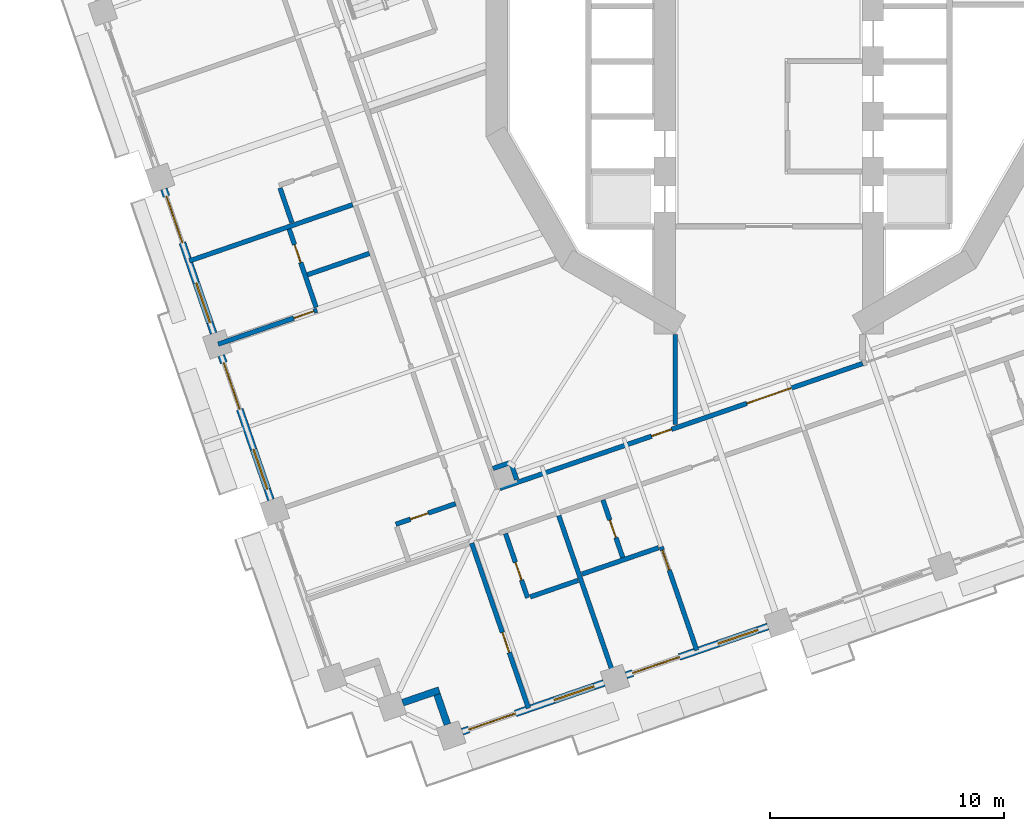
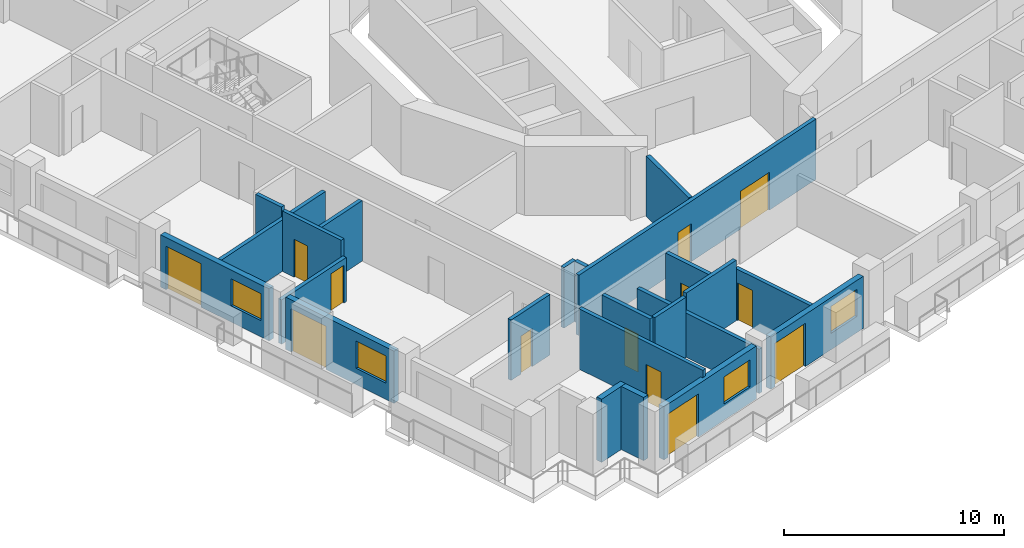
# One storey, part 7 of 22: 23 walls, 13 doors, 4 windows, 17 openings.
"""IFC4 building model written with IfcOpenShell, lengths in metres."""

from ifc_helpers import new_model, si_unit, direction, frame, frame_2d, origin, place, context, subcontext, project, spatial, rectangle, extrude, material, layer, layer_set, type_object, element, fill, save


model = new_model("IFC4")

# Units and contexts
model_context = context("Model", 3, precision=1e-05, world=origin(), true_north=direction((0.0, 1.0)))
body_context = subcontext(model_context, "Body", "Model", "MODEL_VIEW")
ifc_project = project(units=[si_unit("LENGTHUNIT", "METRE"), si_unit("AREAUNIT", "SQUARE_METRE"), si_unit("VOLUMEUNIT", "CUBIC_METRE"), si_unit("PLANEANGLEUNIT", "RADIAN"), si_unit("MASSUNIT", "GRAM", prefix="KILO")], contexts=[model_context])

# Site, building, storey
site_placement = place(None, origin())
site = spatial("IfcSite", under=ifc_project, at=site_placement, CompositionType="ELEMENT")
building_placement = place(site_placement, origin())
building = spatial("IfcBuilding", under=site, at=building_placement, Name="Cantera Rosa Tower", CompositionType="ELEMENT")
storey_placement = place(building_placement, frame((0.0, 0.0, 138.300048828125)))
storey = spatial("IfcBuildingStorey", under=building, at=storey_placement, Name="L29", CompositionType="ELEMENT", Elevation=138.300048828125)

# Wall, openings, doors
ifc_material_1 = material(Name="Gypsum board partition")
ifc_layer_1 = layer(ifc_material_1, 0.199951171875)
ifc_layer_set_1 = layer_set([ifc_layer_1], Name="CORRIDOR WALL 200 H3350")
wall_type_1 = type_object("IfcWallType", Name="CORRIDOR WALL 200 H3350", PredefinedType="PARTITIONING", material=ifc_layer_set_1)
wall_1_placement = place(storey_placement, frame((-11.489501953125, -18.23388671875, 0.0), z_axis=(0.0, 0.0, 1.0), x_axis=(0.945522545762, 0.325556624039, 0.0)))
wall_1 = element("IfcWall", 1, at=wall_1_placement, inside=storey, type_object=wall_type_1, Name="CORRIDOR WALL L29-031", PredefinedType="PARTITIONING", context=body_context, shape_type="SweptSolid", body=[
    extrude(rectangle(XDim=16.3818359375, YDim=0.199951171875, at=frame_2d((8.19091796875, 0.0))), origin(), (0.0, 0.0, 1.0), 3.349853515625),
])
opening_1_placement = place(wall_1_placement, frame((6.850830078125, 0.0, 0.0)))
opening_1 = element("IfcOpeningElement", 2, at=opening_1_placement, cuts=wall_1, Name="Opening L29-007", PredefinedType="OPENING", context=body_context, shape_type="SweptSolid", body=[
    extrude(rectangle(XDim=0.89990234375, YDim=2.10009765625, at=frame_2d((0.449951171875, 1.050048828125))), frame((0.0, 0.10986328125, 0.0), z_axis=(0.0, -1.0, 0.0), x_axis=(1.0, 0.0, 0.0)), (0.0, 0.0, 1.0), 0.219970703125),
])
opening_2_placement = place(wall_1_placement, frame((11.151611328125, 0.0, 0.0)))
opening_2 = element("IfcOpeningElement", 3, at=opening_2_placement, cuts=wall_1, Name="Opening L29-012", PredefinedType="OPENING", context=body_context, shape_type="SweptSolid", body=[
    extrude(rectangle(XDim=2.0, YDim=2.10009765625, at=frame_2d((1.0, 1.050048828125))), frame((0.0, 0.10986328125, 0.0), z_axis=(0.0, -1.0, 0.0), x_axis=(1.0, 0.0, 0.0)), (0.0, 0.0, 1.0), 0.219970703125),
])
ifc_material_2 = material(Name="Steel S355J2 (EN 10025-2)", Category="steel")
door_type_1 = type_object("IfcDoorType", Name="LOBBY SCREEN DOOR 2000x2100", OperationType="NOTDEFINED", PredefinedType="DOOR", material=ifc_material_2)
door_1_placement = place(opening_2_placement, origin())
door_1 = element("IfcDoor", 4, at=door_1_placement, inside=storey, type_object=door_type_1, Name="DOOR L29-012", OperationType="NOTDEFINED", OverallHeight=2.10009765625, OverallWidth=2.0, PredefinedType="DOOR", context=body_context, shape_type="SweptSolid", body=[
    extrude(rectangle(XDim=2.0, YDim=2.10009765625, at=frame_2d((1.0, 1.050048828125))), frame((0.0, 0.02490234375, 0.0), z_axis=(0.0, -1.0, 0.0), x_axis=(1.0, 0.0, 0.0)), (0.0, 0.0, 1.0), 0.050048828125),
])
fill(opening_2, door_1)
ifc_material_3 = material(Name="Timber door leaf", Category="wood")
door_type_2 = type_object("IfcDoorType", Name="SERVICE DOOR 900x2100", OperationType="NOTDEFINED", PredefinedType="DOOR", material=ifc_material_3)
door_2_placement = place(opening_1_placement, origin())
door_2 = element("IfcDoor", 5, at=door_2_placement, inside=storey, type_object=door_type_2, Name="DOOR L29-007", OperationType="NOTDEFINED", OverallHeight=2.10009765625, OverallWidth=0.89990234375, PredefinedType="DOOR", context=body_context, shape_type="SweptSolid", body=[
    extrude(rectangle(XDim=0.89990234375, YDim=2.10009765625, at=frame_2d((0.449951171875, 1.050048828125))), frame((0.0, 0.02490234375, 0.0), z_axis=(0.0, -1.0, 0.0), x_axis=(1.0, 0.0, 0.0)), (0.0, 0.0, 1.0), 0.050048828125),
])
fill(opening_1, door_2)

# Walls
wall_2_placement = place(storey_placement, frame((-4.0, -11.667236328125, 0.0), z_axis=(0.0, 0.0, 1.0), x_axis=(0.0, -1.0, 0.0)))
element("IfcWall", 6, at=wall_2_placement, inside=storey, type_object=wall_type_1, Name="CORRIDOR WALL L29-049", PredefinedType="PARTITIONING", context=body_context, shape_type="SweptSolid", body=[
    extrude(rectangle(XDim=3.847900390625, YDim=0.199951171875, at=frame_2d((1.923828125, 0.0))), origin(), (0.0, 0.0, 1.0), 3.349853515625),
])
ifc_material_4 = material(Name="Hollow clay masonry with cantera stone cladding", Category="masonry")
ifc_layer_2 = layer(ifc_material_4, 0.300048828125)
ifc_layer_set_2 = layer_set([ifc_layer_2], Name="EW-LOGGIA 300")
wall_type_2 = type_object("IfcWallType", Name="EW-LOGGIA 300", PredefinedType="SOLIDWALL", material=ifc_layer_set_2)
wall_3_placement = place(storey_placement, frame((-15.636962890625, -27.3828125, 0.0), z_axis=(0.0, 0.0, 1.0), x_axis=(0.945484566827, 0.325666906351, 0.0)))
element("IfcWall", 7, at=wall_3_placement, inside=storey, type_object=wall_type_2, Name="EN-L29-W22a", PredefinedType="SOLIDWALL", context=body_context, shape_type="SweptSolid", body=[
    extrude(rectangle(XDim=1.64990234375, YDim=0.300048828125, at=frame_2d((0.824951171875, 0.0))), origin(), (0.0, 0.0, 1.0), 3.5),
])
wall_4_placement = place(storey_placement, frame((-14.169921875, -27.0361328125, 0.0), z_axis=(0.0, 0.0, 1.0), x_axis=(0.325650742363, -0.945490134268, 0.0)))
element("IfcWall", 8, at=wall_4_placement, inside=storey, type_object=wall_type_2, Name="EN-L29-W22b", PredefinedType="SOLIDWALL", context=body_context, shape_type="SweptSolid", body=[
    extrude(rectangle(XDim=1.35009765625, YDim=0.300048828125, at=frame_2d((0.675048828125, 0.0))), origin(), (0.0, 0.0, 1.0), 3.5),
])

# Wall, openings, window, door
ifc_material_5 = material(Name="Hollow clay masonry with cantera stone cladding", Category="masonry")
ifc_layer_3 = layer(ifc_material_5, 0.300048828125)
ifc_layer_set_3 = layer_set([ifc_layer_3], Name="EW-LOGGIA 300 H2890")
wall_type_3 = type_object("IfcWallType", Name="EW-LOGGIA 300 H2890", PredefinedType="SOLIDWALL", material=ifc_layer_set_3)
wall_5_placement = place(storey_placement, frame((-25.833984375, -5.447509765625, 0.0), z_axis=(0.0, 0.0, 1.0), x_axis=(0.325580990241, -0.945514155787, 0.0)))
wall_5 = element("IfcWall", 9, at=wall_5_placement, inside=storey, type_object=wall_type_3, Name="EN-L29-W18", PredefinedType="SOLIDWALL", context=body_context, shape_type="SweptSolid", body=[
    extrude(rectangle(XDim=6.52001953125, YDim=0.300048828125, at=frame_2d((3.260009765625, 0.0))), origin(), (0.0, 0.0, 1.0), 2.889892578125),
])
opening_3_placement = place(wall_5_placement, frame((0.330078125, 0.0, 0.0)))
opening_3 = element("IfcOpeningElement", 10, at=opening_3_placement, cuts=wall_5, Name="Opening L29-TD23", PredefinedType="OPENING", context=body_context, shape_type="SweptSolid", body=[
    extrude(rectangle(XDim=2.10009765625, YDim=2.39990234375, at=frame_2d((1.050048828125, 1.199951171875))), frame((0.0, 0.159912109375, 0.0), z_axis=(0.0, -1.0, 0.0), x_axis=(1.0, 0.0, 0.0)), (0.0, 0.0, 1.0), 0.320068359375),
])
opening_4_placement = place(wall_5_placement, frame((4.239990234375, 0.0, 0.89990234375)))
opening_4 = element("IfcOpeningElement", 11, at=opening_4_placement, cuts=wall_5, Name="Opening L29-W24", PredefinedType="OPENING", context=body_context, shape_type="SweptSolid", body=[
    extrude(rectangle(XDim=1.800048828125, YDim=1.5, at=frame_2d((0.89990234375, 0.75))), frame((0.0, 0.159912109375, 0.0), z_axis=(0.0, -1.0, 0.0), x_axis=(1.0, 0.0, 0.0)), (0.0, 0.0, 1.0), 0.320068359375),
])
ifc_material_6 = material(Name="Aluminium frame with clear glass", Category="aluminium")
window_type = type_object("IfcWindowType", Name="Hotel room window 1800x1500", PartitioningType="DOUBLE_PANEL_VERTICAL", PredefinedType="WINDOW", material=ifc_material_6)
window_1_placement = place(opening_4_placement, origin())
window_1 = element("IfcWindow", 12, at=window_1_placement, inside=storey, type_object=window_type, Name="WINDOW L29-W24", OverallHeight=1.5, OverallWidth=1.800048828125, PartitioningType="SINGLE_PANEL", PredefinedType="WINDOW", context=body_context, shape_type="SweptSolid", body=[
    extrude(rectangle(XDim=1.800048828125, YDim=1.5, at=frame_2d((0.89990234375, 0.75))), frame((0.0, 0.030029296875, 0.0), z_axis=(0.0, -1.0, 0.0), x_axis=(1.0, 0.0, 0.0)), (0.0, 0.0, 1.0), 0.06005859375),
])
fill(opening_4, window_1)
ifc_material_7 = material(Name="Aluminium frame with clear glass", Category="aluminium")
door_type_3 = type_object("IfcDoorType", Name="TD-H 2100x2400", OperationType="NOTDEFINED", PredefinedType="DOOR", material=ifc_material_7)
door_3_placement = place(opening_3_placement, origin())
door_3 = element("IfcDoor", 13, at=door_3_placement, inside=storey, type_object=door_type_3, Name="LOGGIA DOOR L29-TD23", OperationType="SLIDING_TO_LEFT", OverallHeight=2.39990234375, OverallWidth=2.10009765625, PredefinedType="DOOR", context=body_context, shape_type="SweptSolid", body=[
    extrude(rectangle(XDim=2.10009765625, YDim=2.39990234375, at=frame_2d((1.050048828125, 1.199951171875))), frame((0.0, 0.02490234375, 0.0), z_axis=(0.0, -1.0, 0.0), x_axis=(1.0, 0.0, 0.0)), (0.0, 0.0, 1.0), 0.050048828125),
])
fill(opening_3, door_3)

wall_6_placement = place(storey_placement, frame((-23.3857421875, -12.557861328125, 0.0), z_axis=(0.0, 0.0, 1.0), x_axis=(0.325580990241, -0.945514155787, 0.0)))
wall_6 = element("IfcWall", 14, at=wall_6_placement, inside=storey, type_object=wall_type_3, Name="EN-L29-W19", PredefinedType="SOLIDWALL", context=body_context, shape_type="SweptSolid", body=[
    extrude(rectangle(XDim=6.52001953125, YDim=0.300048828125, at=frame_2d((3.260009765625, 0.0))), origin(), (0.0, 0.0, 1.0), 2.889892578125),
])
opening_5_placement = place(wall_6_placement, frame((0.330078125, 0.0, 0.0)))
opening_5 = element("IfcOpeningElement", 15, at=opening_5_placement, cuts=wall_6, Name="Opening L29-TD25", PredefinedType="OPENING", context=body_context, shape_type="SweptSolid", body=[
    extrude(rectangle(XDim=2.10009765625, YDim=2.39990234375, at=frame_2d((1.050048828125, 1.199951171875))), frame((0.0, 0.159912109375, 0.0), z_axis=(0.0, -1.0, 0.0), x_axis=(1.0, 0.0, 0.0)), (0.0, 0.0, 1.0), 0.320068359375),
])
opening_6_placement = place(wall_6_placement, frame((4.239990234375, 0.0, 0.89990234375)))
opening_6 = element("IfcOpeningElement", 16, at=opening_6_placement, cuts=wall_6, Name="Opening L29-W26", PredefinedType="OPENING", context=body_context, shape_type="SweptSolid", body=[
    extrude(rectangle(XDim=1.800048828125, YDim=1.5, at=frame_2d((0.89990234375, 0.75))), frame((0.0, 0.159912109375, 0.0), z_axis=(0.0, -1.0, 0.0), x_axis=(1.0, 0.0, 0.0)), (0.0, 0.0, 1.0), 0.320068359375),
])
window_2_placement = place(opening_6_placement, origin())
window_2 = element("IfcWindow", 17, at=window_2_placement, inside=storey, type_object=window_type, Name="WINDOW L29-W26", OverallHeight=1.5, OverallWidth=1.800048828125, PartitioningType="SINGLE_PANEL", PredefinedType="WINDOW", context=body_context, shape_type="SweptSolid", body=[
    extrude(rectangle(XDim=1.800048828125, YDim=1.5, at=frame_2d((0.89990234375, 0.75))), frame((0.0, 0.030029296875, 0.0), z_axis=(0.0, -1.0, 0.0), x_axis=(1.0, 0.0, 0.0)), (0.0, 0.0, 1.0), 0.06005859375),
])
fill(opening_6, window_2)
door_4_placement = place(opening_5_placement, origin())
door_4 = element("IfcDoor", 18, at=door_4_placement, inside=storey, type_object=door_type_3, Name="LOGGIA DOOR L29-TD25", OperationType="SLIDING_TO_LEFT", OverallHeight=2.39990234375, OverallWidth=2.10009765625, PredefinedType="DOOR", context=body_context, shape_type="SweptSolid", body=[
    extrude(rectangle(XDim=2.10009765625, YDim=2.39990234375, at=frame_2d((1.050048828125, 1.199951171875))), frame((0.0, 0.02490234375, 0.0), z_axis=(0.0, -1.0, 0.0), x_axis=(1.0, 0.0, 0.0)), (0.0, 0.0, 1.0), 0.050048828125),
])
fill(opening_5, door_4)

wall_7_placement = place(storey_placement, frame((-6.097900390625, -26.21337890625, 0.0), z_axis=(0.0, 0.0, 1.0), x_axis=(0.945524496524, 0.325550958337, 0.0)))
wall_7 = element("IfcWall", 19, at=wall_7_placement, inside=storey, type_object=wall_type_3, Name="EN-L29-W24", PredefinedType="SOLIDWALL", context=body_context, shape_type="SweptSolid", body=[
    extrude(rectangle(XDim=6.39990234375, YDim=0.300048828125, at=frame_2d((3.199951171875, 0.0))), origin(), (0.0, 0.0, 1.0), 2.889892578125),
])
opening_7_placement = place(wall_7_placement, frame((0.300048828125, 0.0, 0.0)))
opening_7 = element("IfcOpeningElement", 20, at=opening_7_placement, cuts=wall_7, Name="Opening L29-TD31", PredefinedType="OPENING", context=body_context, shape_type="SweptSolid", body=[
    extrude(rectangle(XDim=2.10009765625, YDim=2.39990234375, at=frame_2d((1.050048828125, 1.199951171875))), frame((0.0, 0.159912109375, 0.0), z_axis=(0.0, -1.0, 0.0), x_axis=(1.0, 0.0, 0.0)), (0.0, 0.0, 1.0), 0.320068359375),
])
opening_8_placement = place(wall_7_placement, frame((4.14990234375, 0.0, 0.89990234375)))
opening_8 = element("IfcOpeningElement", 21, at=opening_8_placement, cuts=wall_7, Name="Opening L29-W32", PredefinedType="OPENING", context=body_context, shape_type="SweptSolid", body=[
    extrude(rectangle(XDim=1.800048828125, YDim=1.5, at=frame_2d((0.89990234375, 0.75))), frame((0.0, 0.159912109375, 0.0), z_axis=(0.0, -1.0, 0.0), x_axis=(1.0, 0.0, 0.0)), (0.0, 0.0, 1.0), 0.320068359375),
])
window_3_placement = place(opening_8_placement, origin())
window_3 = element("IfcWindow", 22, at=window_3_placement, inside=storey, type_object=window_type, Name="WINDOW L29-W32", OverallHeight=1.5, OverallWidth=1.800048828125, PartitioningType="SINGLE_PANEL", PredefinedType="WINDOW", context=body_context, shape_type="SweptSolid", body=[
    extrude(rectangle(XDim=1.800048828125, YDim=1.5, at=frame_2d((0.89990234375, 0.75))), frame((0.0, 0.030029296875, 0.0), z_axis=(0.0, -1.0, 0.0), x_axis=(1.0, 0.0, 0.0)), (0.0, 0.0, 1.0), 0.06005859375),
])
fill(opening_8, window_3)
door_5_placement = place(opening_7_placement, origin())
door_5 = element("IfcDoor", 23, at=door_5_placement, inside=storey, type_object=door_type_3, Name="LOGGIA DOOR L29-TD31", OperationType="SLIDING_TO_LEFT", OverallHeight=2.39990234375, OverallWidth=2.10009765625, PredefinedType="DOOR", context=body_context, shape_type="SweptSolid", body=[
    extrude(rectangle(XDim=2.10009765625, YDim=2.39990234375, at=frame_2d((1.050048828125, 1.199951171875))), frame((0.0, 0.02490234375, 0.0), z_axis=(0.0, -1.0, 0.0), x_axis=(1.0, 0.0, 0.0)), (0.0, 0.0, 1.0), 0.050048828125),
])
fill(opening_7, door_5)

ifc_material_8 = material(Name="Hollow clay masonry with cantera stone cladding", Category="masonry")
ifc_layer_4 = layer(ifc_material_8, 0.300048828125)
ifc_layer_set_4 = layer_set([ifc_layer_4], Name="EW-LOGGIA 300 H2940")
wall_type_4 = type_object("IfcWallType", Name="EW-LOGGIA 300 H2940", PredefinedType="SOLIDWALL", material=ifc_layer_set_4)
wall_8_placement = place(storey_placement, frame((-13.0947265625, -28.62255859375, 0.0), z_axis=(0.0, 0.0, 1.0), x_axis=(0.945524496524, 0.325550958337, 0.0)))
wall_8 = element("IfcWall", 24, at=wall_8_placement, inside=storey, type_object=wall_type_4, Name="EN-L29-W23", PredefinedType="SOLIDWALL", context=body_context, shape_type="SweptSolid", body=[
    extrude(rectangle(XDim=6.39990234375, YDim=0.300048828125, at=frame_2d((3.199951171875, 0.0))), origin(), (0.0, 0.0, 1.0), 2.93994140625),
])
opening_9_placement = place(wall_8_placement, frame((0.300048828125, 0.0, 0.0)))
opening_9 = element("IfcOpeningElement", 25, at=opening_9_placement, cuts=wall_8, Name="Opening L29-TD29", PredefinedType="OPENING", context=body_context, shape_type="SweptSolid", body=[
    extrude(rectangle(XDim=2.10009765625, YDim=2.39990234375, at=frame_2d((1.050048828125, 1.199951171875))), frame((0.0, 0.159912109375, 0.0), z_axis=(0.0, -1.0, 0.0), x_axis=(1.0, 0.0, 0.0)), (0.0, 0.0, 1.0), 0.320068359375),
])
opening_10_placement = place(wall_8_placement, frame((4.14990234375, 0.0, 0.89990234375)))
opening_10 = element("IfcOpeningElement", 26, at=opening_10_placement, cuts=wall_8, Name="Opening L29-W30", PredefinedType="OPENING", context=body_context, shape_type="SweptSolid", body=[
    extrude(rectangle(XDim=1.800048828125, YDim=1.5, at=frame_2d((0.89990234375, 0.75))), frame((0.0, 0.159912109375, 0.0), z_axis=(0.0, -1.0, 0.0), x_axis=(1.0, 0.0, 0.0)), (0.0, 0.0, 1.0), 0.320068359375),
])
window_4_placement = place(opening_10_placement, origin())
window_4 = element("IfcWindow", 27, at=window_4_placement, inside=storey, type_object=window_type, Name="WINDOW L29-W30", OverallHeight=1.5, OverallWidth=1.800048828125, PartitioningType="SINGLE_PANEL", PredefinedType="WINDOW", context=body_context, shape_type="SweptSolid", body=[
    extrude(rectangle(XDim=1.800048828125, YDim=1.5, at=frame_2d((0.89990234375, 0.75))), frame((0.0, 0.030029296875, 0.0), z_axis=(0.0, -1.0, 0.0), x_axis=(1.0, 0.0, 0.0)), (0.0, 0.0, 1.0), 0.06005859375),
])
fill(opening_10, window_4)
door_6_placement = place(opening_9_placement, origin())
door_6 = element("IfcDoor", 28, at=door_6_placement, inside=storey, type_object=door_type_3, Name="LOGGIA DOOR L29-TD29", OperationType="SLIDING_TO_LEFT", OverallHeight=2.39990234375, OverallWidth=2.10009765625, PredefinedType="DOOR", context=body_context, shape_type="SweptSolid", body=[
    extrude(rectangle(XDim=2.10009765625, YDim=2.39990234375, at=frame_2d((1.050048828125, 1.199951171875))), frame((0.0, 0.02490234375, 0.0), z_axis=(0.0, -1.0, 0.0), x_axis=(1.0, 0.0, 0.0)), (0.0, 0.0, 1.0), 0.050048828125),
])
fill(opening_9, door_6)

# Wall, opening, door
ifc_material_9 = material(Name="Gypsum board partition")
ifc_layer_5 = layer(ifc_material_9, 0.199951171875)
ifc_layer_set_5 = layer_set([ifc_layer_5], Name="PARTITION 200 H2450")
wall_type_5 = type_object("IfcWallType", Name="PARTITION 200 H2450", PredefinedType="PARTITIONING", material=ifc_layer_set_5)
wall_9_placement = place(storey_placement, frame((-19.293701171875, -10.6201171875, 0.0), z_axis=(0.0, 0.0, 1.0), x_axis=(-0.945529593347, -0.325536154835, 0.0)))
wall_9 = element("IfcWall", 29, at=wall_9_placement, inside=storey, type_object=wall_type_5, Name="PARTITION L29-014", PredefinedType="PARTITIONING", context=body_context, shape_type="SweptSolid", body=[
    extrude(rectangle(XDim=4.4697265625, YDim=0.199951171875, at=frame_2d((2.23486328125, 0.0))), origin(), (0.0, 0.0, 1.0), 2.449951171875),
])
opening_11_placement = place(wall_9_placement, frame((0.14990234375, 0.0, 0.0)))
opening_11 = element("IfcOpeningElement", 30, at=opening_11_placement, cuts=wall_9, Name="Opening L29-035", PredefinedType="OPENING", context=body_context, shape_type="SweptSolid", body=[
    extrude(rectangle(XDim=0.89990234375, YDim=2.10009765625, at=frame_2d((0.449951171875, 1.050048828125))), frame((0.0, 0.10986328125, 0.0), z_axis=(0.0, -1.0, 0.0), x_axis=(1.0, 0.0, 0.0)), (0.0, 0.0, 1.0), 0.219970703125),
])
ifc_material_10 = material(Name="Timber door leaf", Category="wood")
door_type_4 = type_object("IfcDoorType", Name="ROOM DOOR 900x2100", OperationType="NOTDEFINED", PredefinedType="DOOR", material=ifc_material_10)
door_7_placement = place(opening_11_placement, origin())
door_7 = element("IfcDoor", 31, at=door_7_placement, inside=storey, type_object=door_type_4, Name="DOOR L29-035", OperationType="NOTDEFINED", OverallHeight=2.10009765625, OverallWidth=0.89990234375, PredefinedType="DOOR", context=body_context, shape_type="SweptSolid", body=[
    extrude(rectangle(XDim=0.89990234375, YDim=2.10009765625, at=frame_2d((0.449951171875, 1.050048828125))), frame((0.0, 0.02490234375, 0.0), z_axis=(0.0, -1.0, 0.0), x_axis=(1.0, 0.0, 0.0)), (0.0, 0.0, 1.0), 0.050048828125),
])
fill(opening_11, door_7)

ifc_material_11 = material(Name="Gypsum board partition")
ifc_layer_6 = layer(ifc_material_11, 0.199951171875)
ifc_layer_set_6 = layer_set([ifc_layer_6], Name="PARTITION 200 H2850")
wall_type_6 = type_object("IfcWallType", Name="PARTITION 200 H2850", PredefinedType="PARTITIONING", material=ifc_layer_set_6)
wall_10_placement = place(storey_placement, frame((-4.6025390625, -20.727783203125, 0.0), z_axis=(0.0, 0.0, 1.0), x_axis=(0.325591092398, -0.945510677122, 0.0)))
wall_10 = element("IfcWall", 32, at=wall_10_placement, inside=storey, type_object=wall_type_6, Name="PARTITION L29-048", PredefinedType="PARTITIONING", context=body_context, shape_type="SweptSolid", body=[
    extrude(rectangle(XDim=4.669921875, YDim=0.199951171875, at=frame_2d((2.3349609375, 0.0))), origin(), (0.0, 0.0, 1.0), 2.849853515625),
])
opening_12_placement = place(wall_10_placement, frame((0.14990234375, 0.0, 0.0)))
opening_12 = element("IfcOpeningElement", 33, at=opening_12_placement, cuts=wall_10, Name="Opening L29-041", PredefinedType="OPENING", context=body_context, shape_type="SweptSolid", body=[
    extrude(rectangle(XDim=0.89990234375, YDim=2.10009765625, at=frame_2d((0.449951171875, 1.050048828125))), frame((0.0, 0.10986328125, 0.0), z_axis=(0.0, -1.0, 0.0), x_axis=(1.0, 0.0, 0.0)), (0.0, 0.0, 1.0), 0.219970703125),
])
door_8_placement = place(opening_12_placement, origin())
door_8 = element("IfcDoor", 34, at=door_8_placement, inside=storey, type_object=door_type_4, Name="DOOR L29-041", OperationType="NOTDEFINED", OverallHeight=2.10009765625, OverallWidth=0.89990234375, PredefinedType="DOOR", context=body_context, shape_type="SweptSolid", body=[
    extrude(rectangle(XDim=0.89990234375, YDim=2.10009765625, at=frame_2d((0.449951171875, 1.050048828125))), frame((0.0, 0.02490234375, 0.0), z_axis=(0.0, -1.0, 0.0), x_axis=(1.0, 0.0, 0.0)), (0.0, 0.0, 1.0), 0.050048828125),
])
fill(opening_12, door_8)

ifc_material_12 = material(Name="Gypsum board partition")
ifc_layer_7 = layer(ifc_material_12, 0.199951171875)
ifc_layer_set_7 = layer_set([ifc_layer_7], Name="PARTITION 200 H3350")
wall_type_7 = type_object("IfcWallType", Name="PARTITION 200 H3350", PredefinedType="PARTITIONING", material=ifc_layer_set_7)
wall_11_placement = place(storey_placement, frame((-20.485107421875, -7.159423828125, 0.0), z_axis=(0.0, 0.0, 1.0), x_axis=(0.325523047431, -0.945534105991, 0.0)))
wall_11 = element("IfcWall", 35, at=wall_11_placement, inside=storey, type_object=wall_type_7, Name="PARTITION L29-006", PredefinedType="PARTITIONING", context=body_context, shape_type="SweptSolid", body=[
    extrude(rectangle(XDim=3.5400390625, YDim=0.199951171875, at=frame_2d((1.77001953125, 0.0))), origin(), (0.0, 0.0, 1.0), 3.349853515625),
])
opening_13_placement = place(wall_11_placement, frame((0.7099609375, 0.0, 0.0)))
opening_13 = element("IfcOpeningElement", 36, at=opening_13_placement, cuts=wall_11, Name="Opening L29-036", PredefinedType="OPENING", context=body_context, shape_type="SweptSolid", body=[
    extrude(rectangle(XDim=0.800048828125, YDim=2.10009765625, at=frame_2d((0.39990234375, 1.050048828125))), frame((0.0, 0.10986328125, 0.0), z_axis=(0.0, -1.0, 0.0), x_axis=(1.0, 0.0, 0.0)), (0.0, 0.0, 1.0), 0.219970703125),
])
ifc_material_13 = material(Name="Timber door leaf", Category="wood")
door_type_5 = type_object("IfcDoorType", Name="BATHROOM DOOR 800x2100", OperationType="NOTDEFINED", PredefinedType="DOOR", material=ifc_material_13)
door_9_placement = place(opening_13_placement, origin())
door_9 = element("IfcDoor", 37, at=door_9_placement, inside=storey, type_object=door_type_5, Name="DOOR L29-036", OperationType="NOTDEFINED", OverallHeight=2.10009765625, OverallWidth=0.800048828125, PredefinedType="DOOR", context=body_context, shape_type="SweptSolid", body=[
    extrude(rectangle(XDim=0.800048828125, YDim=2.10009765625, at=frame_2d((0.39990234375, 1.050048828125))), frame((0.0, 0.02490234375, 0.0), z_axis=(0.0, -1.0, 0.0), x_axis=(1.0, 0.0, 0.0)), (0.0, 0.0, 1.0), 0.050048828125),
])
fill(opening_13, door_9)

# Walls
wall_12_placement = place(storey_placement, frame((-20.36767578125, -6.88623046875, 0.0), z_axis=(0.0, 0.0, 1.0), x_axis=(-0.325508352099, 0.945539165087, 0.0)))
element("IfcWall", 38, at=wall_12_placement, inside=storey, type_object=wall_type_7, Name="PARTITION L29-008", PredefinedType="PARTITIONING", context=body_context, shape_type="SweptSolid", body=[
    extrude(rectangle(XDim=1.56005859375, YDim=0.199951171875, at=frame_2d((0.780029296875, 0.0))), origin(), (0.0, 0.0, 1.0), 3.349853515625),
])
wall_13_placement = place(storey_placement, frame((-17.0595703125, -8.20068359375, 0.0), z_axis=(0.0, 0.0, 1.0), x_axis=(-0.945515586558, -0.325576835135, 0.0)))
element("IfcWall", 39, at=wall_13_placement, inside=storey, type_object=wall_type_7, Name="PARTITION L29-021", PredefinedType="PARTITIONING", context=body_context, shape_type="SweptSolid", body=[
    extrude(rectangle(XDim=2.800048828125, YDim=0.199951171875, at=frame_2d((1.39990234375, 0.0))), origin(), (0.0, 0.0, 1.0), 3.349853515625),
])

# Wall, opening, door
wall_14_placement = place(storey_placement, frame((-15.93359375, -19.76416015625, 0.0), z_axis=(0.0, 0.0, 1.0), x_axis=(0.945536217154, 0.325516915153, 0.0)))
wall_14 = element("IfcWall", 40, at=wall_14_placement, inside=storey, type_object=wall_type_7, Name="PARTITION L29-023", PredefinedType="PARTITIONING", context=body_context, shape_type="SweptSolid", body=[
    extrude(rectangle(XDim=2.699951171875, YDim=0.199951171875, at=frame_2d((1.35009765625, 0.0))), origin(), (0.0, 0.0, 1.0), 3.349853515625),
])
opening_14_placement = place(wall_14_placement, frame((0.6640625, 0.0, 0.0)))
opening_14 = element("IfcOpeningElement", 41, at=opening_14_placement, cuts=wall_14, Name="Opening L29-038", PredefinedType="OPENING", context=body_context, shape_type="SweptSolid", body=[
    extrude(rectangle(XDim=0.800048828125, YDim=2.10009765625, at=frame_2d((0.39990234375, 1.050048828125))), frame((0.0, 0.10986328125, 0.0), z_axis=(0.0, -1.0, 0.0), x_axis=(1.0, 0.0, 0.0)), (0.0, 0.0, 1.0), 0.219970703125),
])
door_10_placement = place(opening_14_placement, origin())
door_10 = element("IfcDoor", 42, at=door_10_placement, inside=storey, type_object=door_type_5, Name="DOOR L29-038", OperationType="NOTDEFINED", OverallHeight=2.10009765625, OverallWidth=0.800048828125, PredefinedType="DOOR", context=body_context, shape_type="SweptSolid", body=[
    extrude(rectangle(XDim=0.800048828125, YDim=2.10009765625, at=frame_2d((0.39990234375, 1.050048828125))), frame((0.0, 0.02490234375, 0.0), z_axis=(0.0, -1.0, 0.0), x_axis=(1.0, 0.0, 0.0)), (0.0, 0.0, 1.0), 0.050048828125),
])
fill(opening_14, door_10)

wall_15_placement = place(storey_placement, frame((-12.693603515625, -20.573486328125, 0.0), z_axis=(0.0, 0.0, 1.0), x_axis=(0.325571534525, -0.945517411742, 0.0)))
wall_15 = element("IfcWall", 43, at=wall_15_placement, inside=storey, type_object=wall_type_7, Name="PARTITION L29-028", PredefinedType="PARTITIONING", context=body_context, shape_type="SweptSolid", body=[
    extrude(rectangle(XDim=7.4501953125, YDim=0.199951171875, at=frame_2d((3.72509765625, 0.0))), origin(), (0.0, 0.0, 1.0), 3.349853515625),
])
opening_15_placement = place(wall_15_placement, frame((4.030029296875, 0.0, 0.0)))
opening_15 = element("IfcOpeningElement", 44, at=opening_15_placement, cuts=wall_15, Name="Opening L29-050", PredefinedType="OPENING", context=body_context, shape_type="SweptSolid", body=[
    extrude(rectangle(XDim=0.89990234375, YDim=2.10009765625, at=frame_2d((0.449951171875, 1.050048828125))), frame((0.0, 0.10986328125, 0.0), z_axis=(0.0, -1.0, 0.0), x_axis=(1.0, 0.0, 0.0)), (0.0, 0.0, 1.0), 0.219970703125),
])
door_11_placement = place(opening_15_placement, origin())
door_11 = element("IfcDoor", 45, at=door_11_placement, inside=storey, type_object=door_type_4, Name="DOOR L29-050", OperationType="NOTDEFINED", OverallHeight=2.10009765625, OverallWidth=0.89990234375, PredefinedType="DOOR", context=body_context, shape_type="SweptSolid", body=[
    extrude(rectangle(XDim=0.89990234375, YDim=2.10009765625, at=frame_2d((0.449951171875, 1.050048828125))), frame((0.0, 0.02490234375, 0.0), z_axis=(0.0, -1.0, 0.0), x_axis=(1.0, 0.0, 0.0)), (0.0, 0.0, 1.0), 0.050048828125),
])
fill(opening_15, door_11)

# Walls
wall_16_placement = place(storey_placement, frame((-11.026123046875, -17.12255859375, 0.0), z_axis=(0.0, 0.0, 1.0), x_axis=(-0.945525269499, -0.325548713312, 0.0)))
element("IfcWall", 46, at=wall_16_placement, inside=storey, type_object=wall_type_7, Name="PARTITION L29-032", PredefinedType="PARTITIONING", context=body_context, shape_type="SweptSolid", body=[
    extrude(rectangle(XDim=0.80029296875, YDim=0.199951171875, at=frame_2d((0.400146484375, 0.0))), origin(), (0.0, 0.0, 1.0), 3.349853515625),
])
wall_17_placement = place(storey_placement, frame((-10.772216796875, -17.860107421875, 0.0), z_axis=(0.0, 0.0, 1.0), x_axis=(-0.325691873105, 0.945475966798, 0.0)))
element("IfcWall", 47, at=wall_17_placement, inside=storey, type_object=wall_type_7, Name="PARTITION L29-033", PredefinedType="PARTITIONING", context=body_context, shape_type="SweptSolid", body=[
    extrude(rectangle(XDim=0.679931640625, YDim=0.199951171875, at=frame_2d((0.33984375, 0.0))), origin(), (0.0, 0.0, 1.0), 3.349853515625),
])

# Wall, opening, door
wall_18_placement = place(storey_placement, frame((-10.304931640625, -22.90283203125, 0.0), z_axis=(0.0, 0.0, 1.0), x_axis=(-0.325632622122, 0.945496375144, 0.0)))
wall_18 = element("IfcWall", 48, at=wall_18_placement, inside=storey, type_object=wall_type_7, Name="PARTITION L29-034", PredefinedType="PARTITIONING", context=body_context, shape_type="SweptSolid", body=[
    extrude(rectangle(XDim=2.89990234375, YDim=0.199951171875, at=frame_2d((1.449951171875, 0.0))), origin(), (0.0, 0.0, 1.0), 3.349853515625),
])
opening_16_placement = place(wall_18_placement, frame((0.800048828125, 0.0, 0.0)))
opening_16 = element("IfcOpeningElement", 49, at=opening_16_placement, cuts=wall_18, Name="Opening L29-049", PredefinedType="OPENING", context=body_context, shape_type="SweptSolid", body=[
    extrude(rectangle(XDim=0.800048828125, YDim=2.10009765625, at=frame_2d((0.39990234375, 1.050048828125))), frame((0.0, 0.10986328125, 0.0), z_axis=(0.0, -1.0, 0.0), x_axis=(1.0, 0.0, 0.0)), (0.0, 0.0, 1.0), 0.219970703125),
])
door_12_placement = place(opening_16_placement, origin())
door_12 = element("IfcDoor", 50, at=door_12_placement, inside=storey, type_object=door_type_5, Name="DOOR L29-049", OperationType="NOTDEFINED", OverallHeight=2.10009765625, OverallWidth=0.800048828125, PredefinedType="DOOR", context=body_context, shape_type="SweptSolid", body=[
    extrude(rectangle(XDim=0.800048828125, YDim=2.10009765625, at=frame_2d((0.39990234375, 1.050048828125))), frame((0.0, 0.02490234375, 0.0), z_axis=(0.0, -1.0, 0.0), x_axis=(1.0, 0.0, 0.0)), (0.0, 0.0, 1.0), 0.050048828125),
])
fill(opening_16, door_12)

# Wall
wall_19_placement = place(storey_placement, frame((-8.149169921875, -22.160400390625, 0.0), z_axis=(0.0, 0.0, 1.0), x_axis=(-0.945506217839, -0.325604041787, 0.0)))
element("IfcWall", 51, at=wall_19_placement, inside=storey, type_object=wall_type_7, Name="PARTITION L29-036", PredefinedType="PARTITIONING", context=body_context, shape_type="SweptSolid", body=[
    extrude(rectangle(XDim=2.16015625, YDim=0.199951171875, at=frame_2d((1.080078125, 0.0))), origin(), (0.0, 0.0, 1.0), 3.349853515625),
])

# Wall, opening, door
wall_20_placement = place(storey_placement, frame((-7.0888671875, -18.728271484375, 0.0), z_axis=(0.0, 0.0, 1.0), x_axis=(0.325565238158, -0.945519579757, 0.0)))
wall_20 = element("IfcWall", 52, at=wall_20_placement, inside=storey, type_object=wall_type_7, Name="PARTITION L29-044", PredefinedType="PARTITIONING", context=body_context, shape_type="SweptSolid", body=[
    extrude(rectangle(XDim=2.599853515625, YDim=0.199951171875, at=frame_2d((1.2998046875, 0.0))), origin(), (0.0, 0.0, 1.0), 3.349853515625),
])
opening_17_placement = place(wall_20_placement, frame((0.89990234375, 0.0, 0.0)))
opening_17 = element("IfcOpeningElement", 53, at=opening_17_placement, cuts=wall_20, Name="Opening L29-040", PredefinedType="OPENING", context=body_context, shape_type="SweptSolid", body=[
    extrude(rectangle(XDim=0.800048828125, YDim=2.10009765625, at=frame_2d((0.39990234375, 1.050048828125))), frame((0.0, 0.10986328125, 0.0), z_axis=(0.0, -1.0, 0.0), x_axis=(1.0, 0.0, 0.0)), (0.0, 0.0, 1.0), 0.219970703125),
])
door_13_placement = place(opening_17_placement, origin())
door_13 = element("IfcDoor", 54, at=door_13_placement, inside=storey, type_object=door_type_5, Name="DOOR L29-040", OperationType="NOTDEFINED", OverallHeight=2.10009765625, OverallWidth=0.800048828125, PredefinedType="DOOR", context=body_context, shape_type="SweptSolid", body=[
    extrude(rectangle(XDim=0.800048828125, YDim=2.10009765625, at=frame_2d((0.39990234375, 1.050048828125))), frame((0.0, 0.02490234375, 0.0), z_axis=(0.0, -1.0, 0.0), x_axis=(1.0, 0.0, 0.0)), (0.0, 0.0, 1.0), 0.050048828125),
])
fill(opening_17, door_13)

# Walls
wall_21_placement = place(storey_placement, frame((-4.7158203125, -20.766845703125, 0.0), z_axis=(0.0, 0.0, 1.0), x_axis=(-0.945518358783, -0.325568784136, 0.0)))
element("IfcWall", 55, at=wall_21_placement, inside=storey, type_object=wall_type_7, Name="PARTITION L29-047", PredefinedType="PARTITIONING", context=body_context, shape_type="SweptSolid", body=[
    extrude(rectangle(XDim=3.4599609375, YDim=0.199951171875, at=frame_2d((1.72998046875, 0.0))), origin(), (0.0, 0.0, 1.0), 3.349853515625),
])
ifc_material_14 = material(Name="Gypsum board partition")
ifc_layer_8 = layer(ifc_material_14, 0.199951171875)
ifc_layer_set_8 = layer_set([ifc_layer_8], Name="PARTY WALL 200 H2450")
wall_type_8 = type_object("IfcWallType", Name="PARTY WALL 200 H2450", PredefinedType="PARTITIONING", material=ifc_layer_set_8)
wall_22_placement = place(storey_placement, frame((-6.58056640625, -26.347900390625, 0.0), z_axis=(0.0, 0.0, 1.0), x_axis=(-0.325549451152, 0.945525015457, 0.0)))
element("IfcWall", 56, at=wall_22_placement, inside=storey, type_object=wall_type_8, Name="PARTY WALL L29-045", PredefinedType="PARTITIONING", context=body_context, shape_type="SweptSolid", body=[
    extrude(rectangle(XDim=7.35009765625, YDim=0.199951171875, at=frame_2d((3.675048828125, 0.0))), origin(), (0.0, 0.0, 1.0), 2.449951171875),
])
ifc_material_15 = material(Name="Gypsum board partition")
ifc_layer_9 = layer(ifc_material_15, 0.199951171875)
ifc_layer_set_9 = layer_set([ifc_layer_9], Name="PARTY WALL 200 H2850")
wall_type_9 = type_object("IfcWallType", Name="PARTY WALL 200 H2850", PredefinedType="PARTITIONING", material=ifc_layer_set_9)
wall_23_placement = place(storey_placement, frame((-17.775634765625, -6.12060546875, 0.0), z_axis=(0.0, 0.0, 1.0), x_axis=(-0.945520034471, -0.325563917555, 0.0)))
element("IfcWall", 57, at=wall_23_placement, inside=storey, type_object=wall_type_9, Name="PARTY WALL L29-020", PredefinedType="PARTITIONING", context=body_context, shape_type="SweptSolid", body=[
    extrude(rectangle(XDim=7.3701171875, YDim=0.199951171875, at=frame_2d((3.68505859375, 0.0))), origin(), (0.0, 0.0, 1.0), 2.849853515625),
])

save(model, "model.ifc")
